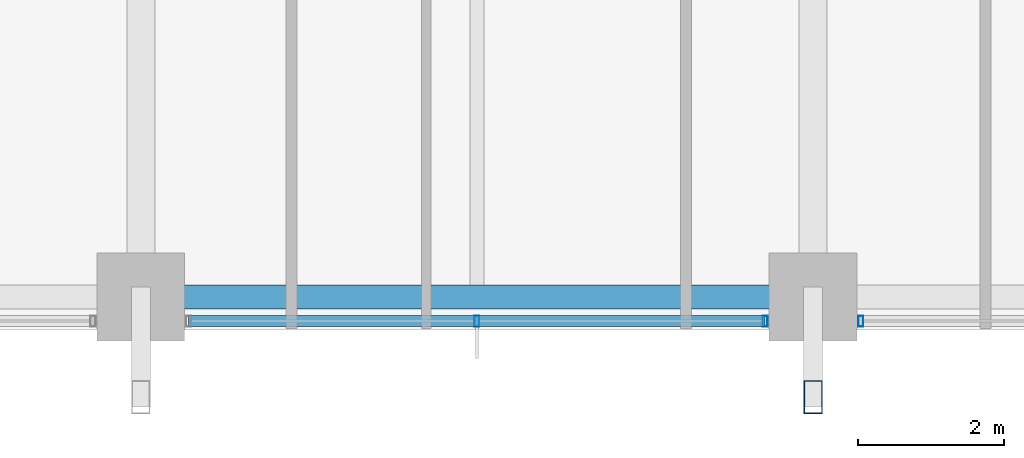
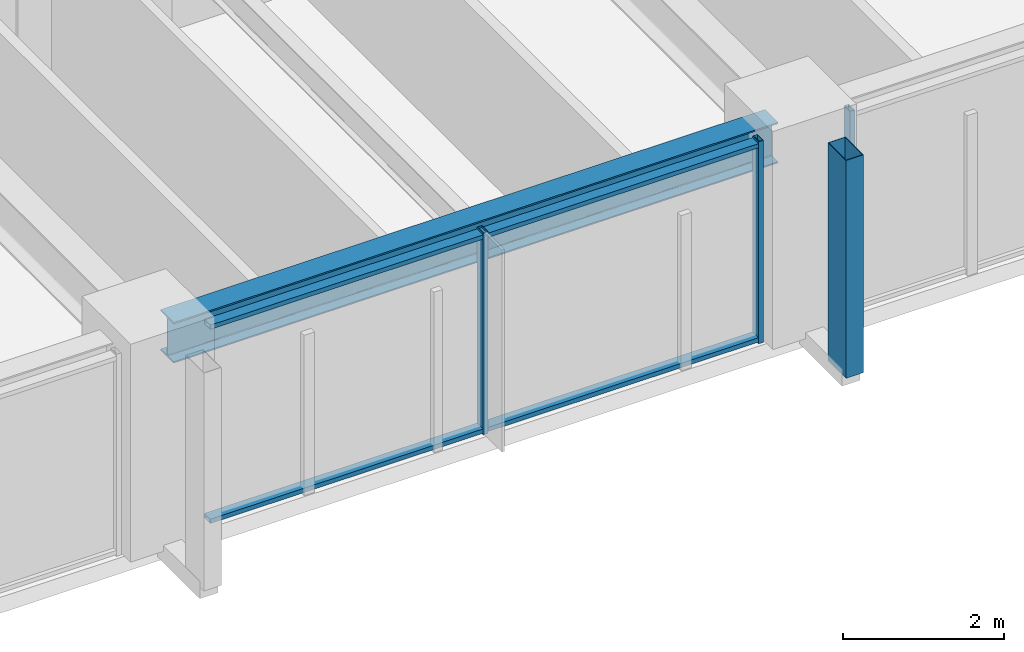
# One storey, part 6 of 38: 6 members, 1 beam, 2 elements without a shape of their own.
"""IFC4 building model written with IfcOpenShell, lengths in metres."""

from ifc_helpers import new_model, si_unit, direction, frame, origin, origin_2d, place, context, subcontext, project, spatial, hollow_rectangle, i_section, extrude, material, material_profile, profile_set, type_object, element, aggregate, save


model = new_model("IFC4")

# Units and contexts
model_context = context("Model", 3, precision=1e-05, world=origin(), true_north=direction((0.0, 1.0)))
body_context = subcontext(model_context, "Body", "Model", "MODEL_VIEW")
ifc_project = project(units=[si_unit("LENGTHUNIT", "METRE"), si_unit("AREAUNIT", "SQUARE_METRE"), si_unit("VOLUMEUNIT", "CUBIC_METRE"), si_unit("PLANEANGLEUNIT", "RADIAN"), si_unit("MASSUNIT", "GRAM", prefix="KILO")], contexts=[model_context])

# Site, building, storey
site_placement = place(None, origin())
site = spatial("IfcSite", under=ifc_project, at=site_placement, CompositionType="ELEMENT")
building_placement = place(site_placement, origin())
building = spatial("IfcBuilding", under=site, at=building_placement, Name="Kolvaren Belvedere", CompositionType="ELEMENT")
storey_placement = place(building_placement, frame((0.0, 0.0, 53.5)))
storey = spatial("IfcBuildingStorey", under=building, at=storey_placement, Name="L15", CompositionType="ELEMENT", Elevation=53.5)

# Beam
ifc_material_1 = material(Name="Structural steel ASTM A992 Grade 50", Category="steel")
ifc_material_profile_1 = material_profile(ifc_material_1, i_section(OverallWidth=0.324951171875, OverallDepth=0.615966796875, WebThickness=0.013916015625, FlangeThickness=0.021484375, FilletRadius=0.02001953125, at=origin_2d()), Name="W24X117")
ifc_profile_set_1 = profile_set([ifc_material_profile_1], Name="Structural steel ASTM A992 Grade 50")
beam_type = type_object("IfcBeamType", Name="BM-SPAN-W24X117", PredefinedType="SPANDREL", material=ifc_profile_set_1)
beam_placement = place(storey_placement, frame((-4.330078125, -21.550048828125, 2.751953125), z_axis=(1.0, 0.0, 0.0), x_axis=(0.0, 1.0, 0.0)))
element("IfcBeam", 1, at=beam_placement, inside=storey, type_object=beam_type, Name="L15 Perimeter Spandrel S2-S3", PredefinedType="SPANDREL", context=body_context, shape_type="SweptSolid", body=[
    extrude(i_section(OverallWidth=0.324951171875, OverallDepth=0.615966796875, WebThickness=0.013916015625, FlangeThickness=0.021484375, FilletRadius=0.02001953125, at=origin_2d()), origin(), (0.0, 0.0, 1.0), 8.66015625),
])

# Curtain wall, member
ifc_material_2 = material(Name="Anodised pale-metal aluminium AA 6063-T6", Category="aluminium")
curtain_wall_type = type_object("IfcCurtainWallType", Name="CW-Z1-LOW", PredefinedType="NOTDEFINED", material=ifc_material_2)
curtain_wall_1_placement = place(storey_placement, origin())
curtain_wall_1 = element("IfcCurtainWall", 2, at=curtain_wall_1_placement, inside=storey, type_object=curtain_wall_type, Name="L15 Unitised Curtain Wall FCW-L15-S-B1", PredefinedType="NOTDEFINED")
ifc_material_3 = material(Name="Anodised pale-metal aluminium AA 6063-T6", Category="aluminium")
ifc_material_profile_2 = material_profile(ifc_material_3, hollow_rectangle(XDim=0.070068359375, YDim=0.14990234375, WallThickness=0.004150390625, at=origin_2d()), Name="ALU-MUL-150X70")
ifc_profile_set_2 = profile_set([ifc_material_profile_2], Name="Anodised pale-metal aluminium AA 6063-T6")
member_type_1 = type_object("IfcMemberType", Name="CW-MUL-150", PredefinedType="MULLION", material=ifc_profile_set_2)
member_1_placement = place(storey_placement, frame((5.2548828125, -21.8798828125, 0.0), z_axis=(0.0, 0.0, 1.0), x_axis=(1.0, 0.0, 0.0)))
member_1 = element("IfcMember", 3, at=member_1_placement, type_object=member_type_1, Name="FCW-L15-S-B1 Unitised Mullion 3", PredefinedType="MULLION", context=body_context, shape_type="SweptSolid", body=[
    extrude(hollow_rectangle(XDim=0.070068359375, YDim=0.14990234375, WallThickness=0.004150390625, at=origin_2d()), origin(), (0.0, 0.0, 1.0), 3.06005859375),
])
aggregate(curtain_wall_1, [member_1])

# Curtain wall, members
curtain_wall_2_placement = place(storey_placement, origin())
curtain_wall_2 = element("IfcCurtainWall", 4, at=curtain_wall_2_placement, inside=storey, type_object=curtain_wall_type, Name="L15 Unitised Curtain Wall FCW-L15-S-B2", PredefinedType="NOTDEFINED")
member_2_placement = place(storey_placement, frame((3.945068359375, -21.8798828125, 0.0), z_axis=(0.0, 0.0, 1.0), x_axis=(1.0, 0.0, 0.0)))
member_2 = element("IfcMember", 5, at=member_2_placement, type_object=member_type_1, Name="FCW-L15-S-B2 Unitised Mullion 1", PredefinedType="MULLION", context=body_context, shape_type="SweptSolid", body=[
    extrude(hollow_rectangle(XDim=0.070068359375, YDim=0.14990234375, WallThickness=0.004150390625, at=origin_2d()), origin(), (0.0, 0.0, 1.0), 3.06005859375),
])
member_3_placement = place(storey_placement, frame((0.0, -21.8798828125, 0.0), z_axis=(0.0, 0.0, 1.0), x_axis=(1.0, 0.0, 0.0)))
member_3 = element("IfcMember", 6, at=member_3_placement, type_object=member_type_1, Name="FCW-L15-S-B2 Unitised Mullion 2", PredefinedType="MULLION", context=body_context, shape_type="SweptSolid", body=[
    extrude(hollow_rectangle(XDim=0.070068359375, YDim=0.14990234375, WallThickness=0.004150390625, at=origin_2d()), origin(), (0.0, 0.0, 1.0), 3.06005859375),
])
ifc_material_4 = material(Name="Anodised pale-metal aluminium AA 6063-T6", Category="aluminium")
ifc_material_profile_3 = material_profile(ifc_material_4, hollow_rectangle(XDim=0.06494140625, YDim=0.14990234375, WallThickness=0.00390625, at=origin_2d()), Name="ALU-TRN-150X65")
ifc_profile_set_3 = profile_set([ifc_material_profile_3], Name="Anodised pale-metal aluminium AA 6063-T6")
member_type_2 = type_object("IfcMemberType", Name="CW-TRN-150", PredefinedType="USERDEFINED", material=ifc_profile_set_3)
member_4_placement = place(storey_placement, frame((3.945068359375, -21.8798828125, 0.06005859375), z_axis=(-1.0, 0.0, 0.0), x_axis=(0.0, 0.0, 1.0)))
member_4 = element("IfcMember", 7, at=member_4_placement, type_object=member_type_2, Name="FCW-L15-S-B2 Sill Transom", ObjectType="TRANSOM", PredefinedType="USERDEFINED", context=body_context, shape_type="SweptSolid", body=[
    extrude(hollow_rectangle(XDim=0.06494140625, YDim=0.14990234375, WallThickness=0.00390625, at=origin_2d()), origin(), (0.0, 0.0, 1.0), 7.89013671875),
])
member_5_placement = place(storey_placement, frame((3.945068359375, -21.8798828125, 3.0), z_axis=(-1.0, 0.0, 0.0), x_axis=(0.0, 0.0, 1.0)))
member_5 = element("IfcMember", 8, at=member_5_placement, type_object=member_type_2, Name="FCW-L15-S-B2 Head Transom", ObjectType="TRANSOM", PredefinedType="USERDEFINED", context=body_context, shape_type="SweptSolid", body=[
    extrude(hollow_rectangle(XDim=0.06494140625, YDim=0.14990234375, WallThickness=0.00390625, at=origin_2d()), origin(), (0.0, 0.0, 1.0), 7.89013671875),
])
aggregate(curtain_wall_2, [member_2, member_3, member_4, member_5])

# Member
ifc_material_5 = material(Name="Anodised pale-metal aluminium AA 6063-T6", Category="aluminium")
ifc_material_profile_4 = material_profile(ifc_material_5, hollow_rectangle(XDim=0.25, YDim=0.449951171875, WallThickness=0.008544921875, at=origin_2d()), Name="ALU-PF-450X250")
ifc_profile_set_4 = profile_set([ifc_material_profile_4], Name="Anodised pale-metal aluminium AA 6063-T6")
member_type_3 = type_object("IfcMemberType", Name="PF-FRAME-450", PredefinedType="USERDEFINED", material=ifc_profile_set_4)
member_6_placement = place(storey_placement, frame((4.60009765625, -22.919921875, 0.0), z_axis=(0.0, 0.0, 1.0), x_axis=(1.0, 0.0, 0.0)))
element("IfcMember", 9, at=member_6_placement, inside=storey, type_object=member_type_3, Name="L15 Outboard Picture-Frame Vertical S1", ObjectType="PICTURE FRAME FIN", PredefinedType="USERDEFINED", context=body_context, shape_type="SweptSolid", body=[
    extrude(hollow_rectangle(XDim=0.25, YDim=0.449951171875, WallThickness=0.008544921875, at=origin_2d()), origin(), (0.0, 0.0, 1.0), 3.300048828125),
])

save(model, "model.ifc")
